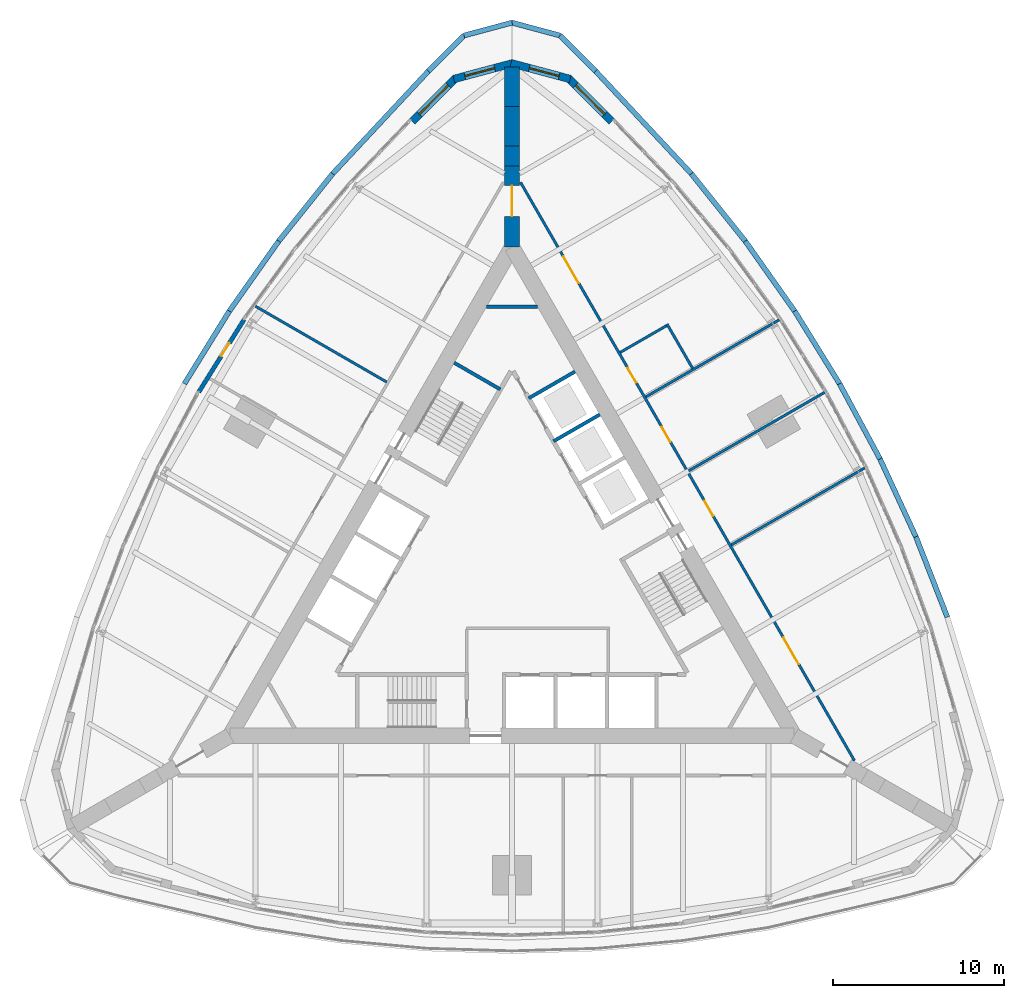
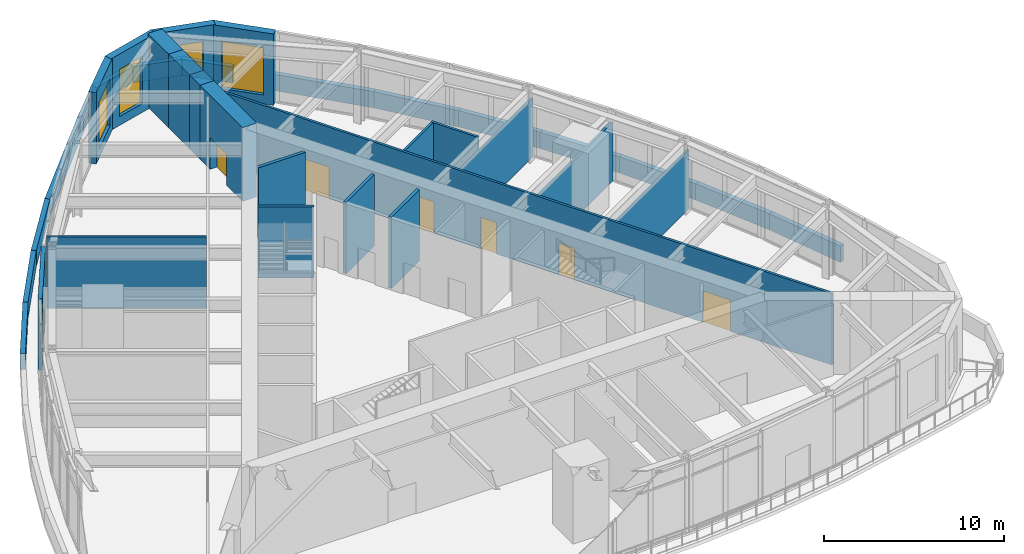
# One storey, part 11 of 14: 35 walls, 7 doors, 4 windows, 11 openings.
"""IFC4 building model written with IfcOpenShell, lengths in metres."""

from ifc_helpers import new_model, si_unit, direction, frame, frame_2d, origin, place, context, subcontext, project, spatial, polyline, rectangle, outline, extrude, material, layer, layer_set, type_object, element, fill, save


model = new_model("IFC4")

# Units and contexts
model_context = context("Model", 3, precision=1e-05, world=origin(), true_north=direction((0.0, 1.0)))
body_context = subcontext(model_context, "Body", "Model", "MODEL_VIEW")
ifc_project = project(units=[si_unit("LENGTHUNIT", "METRE"), si_unit("AREAUNIT", "SQUARE_METRE"), si_unit("VOLUMEUNIT", "CUBIC_METRE"), si_unit("PLANEANGLEUNIT", "RADIAN"), si_unit("MASSUNIT", "GRAM", prefix="KILO")], contexts=[model_context])

# Site, building, storey
site_placement = place(None, origin())
site = spatial("IfcSite", under=ifc_project, at=site_placement, CompositionType="ELEMENT")
building_placement = place(site_placement, origin())
building = spatial("IfcBuilding", under=site, at=building_placement, Name="Trikona Tower", CompositionType="ELEMENT")
storey_placement = place(building_placement, frame((0.0, 0.0, 109.699951171875)))
storey = spatial("IfcBuildingStorey", under=building, at=storey_placement, Name="L28", CompositionType="ELEMENT", Elevation=109.699951171875)

# Wall, opening, window
ifc_material_1 = material(Name="Brick-faced precast concrete", Category="masonry")
ifc_layer_1 = layer(ifc_material_1, 0.449951171875)
ifc_layer_set_1 = layer_set([ifc_layer_1], Name="Brick-faced corner wall 450")
wall_type_1 = type_object("IfcWallType", Name="Brick-faced corner wall 450", PredefinedType="SOLIDWALL", material=ifc_layer_set_1)
wall_1_placement = place(storey_placement, frame((5.8408203125, 26.39892578125, 0.0), z_axis=(0.0, 0.0, 1.0), x_axis=(-0.707106781187, 0.707106781187, 0.0)))
wall_1 = element("IfcWall", 1, at=wall_1_placement, inside=storey, type_object=wall_type_1, Name="External wall L28-20", PredefinedType="SOLIDWALL", context=body_context, shape_type="SweptSolid", body=[
    extrude(rectangle(XDim=3.586181640625, YDim=0.449951171875, at=frame_2d((1.79296875, 0.0))), origin(), (0.0, 0.0, 1.0), 4.8349609375),
])
opening_1_placement = place(wall_1_placement, frame((0.59326171875, 0.0, 0.60009765625)))
opening_1 = element("IfcOpeningElement", 2, at=opening_1_placement, cuts=wall_1, Name="Opening W2432", PredefinedType="OPENING", context=body_context, shape_type="SweptSolid", body=[
    extrude(rectangle(XDim=2.39990234375, YDim=3.199951171875, at=frame_2d((1.199951171875, 1.60009765625))), frame((0.0, 0.23486328125, 0.0), z_axis=(0.0, -1.0, 0.0), x_axis=(1.0, 0.0, 0.0)), (0.0, 0.0, 1.0), 0.469970703125),
])
ifc_material_2 = material(Name="Aluminium-framed double glazing", Category="aluminium")
window_type_1 = type_object("IfcWindowType", Name="Window 2400x3200", PartitioningType="SINGLE_PANEL", PredefinedType="WINDOW", material=ifc_material_2)
window_1_placement = place(opening_1_placement, origin())
window_1 = element("IfcWindow", 3, at=window_1_placement, inside=storey, type_object=window_type_1, Name="Window L28-GSO", OverallHeight=3.199951171875, OverallWidth=2.39990234375, PartitioningType="SINGLE_PANEL", PredefinedType="WINDOW", context=body_context, shape_type="SweptSolid", body=[
    extrude(rectangle(XDim=2.39990234375, YDim=3.199951171875, at=frame_2d((1.199951171875, 1.60009765625))), frame((0.0, 0.030029296875, 0.0), z_axis=(0.0, -1.0, 0.0), x_axis=(1.0, 0.0, 0.0)), (0.0, 0.0, 1.0), 0.06005859375),
])
fill(opening_1, window_1)

wall_2_placement = place(storey_placement, frame((3.406005859375, 28.876708984375, 0.0), z_axis=(0.0, 0.0, 1.0), x_axis=(-0.965924653531, 0.258823421857, 0.0)))
wall_2 = element("IfcWall", 4, at=wall_2_placement, inside=storey, type_object=wall_type_1, Name="External wall L28-21", PredefinedType="SOLIDWALL", context=body_context, shape_type="SweptSolid", body=[
    extrude(outline(polyline([(3.58642578125, 0.22509765625), (3.526611328125, 0.22509765625), (3.035400390625, 0.09326171875), (3.0, 0.22509765625), (0.0, 0.22509765625), (0.0, -0.22509765625), (3.58642578125, -0.22509765625), (3.58642578125, 0.22509765625)])), origin(), (0.0, 0.0, 1.0), 4.8349609375),
])
opening_2_placement = place(wall_2_placement, frame((0.67431640625, 0.0, 0.60009765625)))
opening_2 = element("IfcOpeningElement", 5, at=opening_2_placement, cuts=wall_2, Name="Opening W1832", PredefinedType="OPENING", context=body_context, shape_type="SweptSolid", body=[
    extrude(rectangle(XDim=1.800048828125, YDim=3.199951171875, at=frame_2d((0.89990234375, 1.60009765625))), frame((0.0, 0.23486328125, 0.0), z_axis=(0.0, -1.0, 0.0), x_axis=(1.0, 0.0, 0.0)), (0.0, 0.0, 1.0), 0.469970703125),
])
ifc_material_3 = material(Name="Aluminium-framed double glazing", Category="aluminium")
window_type_2 = type_object("IfcWindowType", Name="Window 1800x3200", PartitioningType="SINGLE_PANEL", PredefinedType="WINDOW", material=ifc_material_3)
window_2_placement = place(opening_2_placement, origin())
window_2 = element("IfcWindow", 6, at=window_2_placement, inside=storey, type_object=window_type_2, Name="Window L28-GSO", OverallHeight=3.199951171875, OverallWidth=1.800048828125, PartitioningType="SINGLE_PANEL", PredefinedType="WINDOW", context=body_context, shape_type="SweptSolid", body=[
    extrude(rectangle(XDim=1.800048828125, YDim=3.199951171875, at=frame_2d((0.89990234375, 1.60009765625))), frame((0.0, 0.030029296875, 0.0), z_axis=(0.0, -1.0, 0.0), x_axis=(1.0, 0.0, 0.0)), (0.0, 0.0, 1.0), 0.06005859375),
])
fill(opening_2, window_2)

wall_3_placement = place(storey_placement, frame((0.05810546875, 29.804931640625, 0.0), z_axis=(0.0, 0.0, 1.0), x_axis=(-0.965924653531, -0.258823421857, 0.0)))
wall_3 = element("IfcWall", 7, at=wall_3_placement, inside=storey, type_object=wall_type_1, Name="External wall L28-22", PredefinedType="SOLIDWALL", context=body_context, shape_type="SweptSolid", body=[
    extrude(outline(polyline([(3.58642578125, 0.22509765625), (0.58642578125, 0.22509765625), (0.551025390625, 0.09326171875), (0.0595703125, 0.22509765625), (0.0, 0.22509765625), (0.0, -0.22509765625), (3.58642578125, -0.22509765625), (3.58642578125, 0.22509765625)])), origin(), (0.0, 0.0, 1.0), 4.8349609375),
])
opening_3_placement = place(wall_3_placement, frame((1.111328125, 0.0, 0.60009765625)))
opening_3 = element("IfcOpeningElement", 8, at=opening_3_placement, cuts=wall_3, Name="Opening W1832", PredefinedType="OPENING", context=body_context, shape_type="SweptSolid", body=[
    extrude(rectangle(XDim=1.800048828125, YDim=3.199951171875, at=frame_2d((0.89990234375, 1.60009765625))), frame((0.0, 0.23486328125, 0.0), z_axis=(0.0, -1.0, 0.0), x_axis=(1.0, 0.0, 0.0)), (0.0, 0.0, 1.0), 0.469970703125),
])
window_3_placement = place(opening_3_placement, origin())
window_3 = element("IfcWindow", 9, at=window_3_placement, inside=storey, type_object=window_type_2, Name="Window L28-FST", OverallHeight=3.199951171875, OverallWidth=1.800048828125, PartitioningType="SINGLE_PANEL", PredefinedType="WINDOW", context=body_context, shape_type="SweptSolid", body=[
    extrude(rectangle(XDim=1.800048828125, YDim=3.199951171875, at=frame_2d((0.89990234375, 1.60009765625))), frame((0.0, 0.030029296875, 0.0), z_axis=(0.0, -1.0, 0.0), x_axis=(1.0, 0.0, 0.0)), (0.0, 0.0, 1.0), 0.06005859375),
])
fill(opening_3, window_3)

wall_4_placement = place(storey_placement, frame((-3.304931640625, 28.934814453125, 0.0), z_axis=(0.0, 0.0, 1.0), x_axis=(-0.707106781187, -0.707106781187, 0.0)))
wall_4 = element("IfcWall", 10, at=wall_4_placement, inside=storey, type_object=wall_type_1, Name="External wall L28-23", PredefinedType="SOLIDWALL", context=body_context, shape_type="SweptSolid", body=[
    extrude(rectangle(XDim=3.586181640625, YDim=0.449951171875, at=frame_2d((1.79296875, 0.0))), origin(), (0.0, 0.0, 1.0), 4.8349609375),
])
opening_4_placement = place(wall_4_placement, frame((0.59326171875, 0.0, 0.60009765625)))
opening_4 = element("IfcOpeningElement", 11, at=opening_4_placement, cuts=wall_4, Name="Opening W2432", PredefinedType="OPENING", context=body_context, shape_type="SweptSolid", body=[
    extrude(rectangle(XDim=2.39990234375, YDim=3.199951171875, at=frame_2d((1.199951171875, 1.60009765625))), frame((0.0, 0.23486328125, 0.0), z_axis=(0.0, -1.0, 0.0), x_axis=(1.0, 0.0, 0.0)), (0.0, 0.0, 1.0), 0.469970703125),
])
window_4_placement = place(opening_4_placement, origin())
window_4 = element("IfcWindow", 12, at=window_4_placement, inside=storey, type_object=window_type_1, Name="Window L28-FST", OverallHeight=3.199951171875, OverallWidth=2.39990234375, PartitioningType="SINGLE_PANEL", PredefinedType="WINDOW", context=body_context, shape_type="SweptSolid", body=[
    extrude(rectangle(XDim=2.39990234375, YDim=3.199951171875, at=frame_2d((1.199951171875, 1.60009765625))), frame((0.0, 0.030029296875, 0.0), z_axis=(0.0, -1.0, 0.0), x_axis=(1.0, 0.0, 0.0)), (0.0, 0.0, 1.0), 0.06005859375),
])
fill(opening_4, window_4)

# Wall, opening, door
ifc_material_4 = material(Name="Concrete f'c 10000 psi", Category="concrete")
ifc_layer_2 = layer(ifc_material_4, 0.89990234375)
ifc_layer_set_2 = layer_set([ifc_layer_2], Name="Buttress wall 900")
wall_type_2 = type_object("IfcWallType", Name="Buttress wall 900", PredefinedType="SHEAR", material=ifc_layer_set_2)
wall_5_placement = place(storey_placement, frame((0.0, 19.052490234375, 0.0), z_axis=(0.0, 0.0, 1.0), x_axis=(0.0, 1.0, 0.0)))
wall_5 = element("IfcWall", 13, at=wall_5_placement, inside=storey, type_object=wall_type_2, Name="Buttress wall 2", PredefinedType="SHEAR", context=body_context, shape_type="SweptSolid", body=[
    extrude(rectangle(XDim=4.74609375, YDim=0.89990234375, at=frame_2d((2.373046875, 0.0))), origin(), (0.0, 0.0, 1.0), 5.0),
])
opening_5_placement = place(wall_5_placement, frame((1.800048828125, 0.0, 0.0)))
opening_5 = element("IfcOpeningElement", 14, at=opening_5_placement, cuts=wall_5, Name="Opening D10", PredefinedType="OPENING", context=body_context, shape_type="SweptSolid", body=[
    extrude(rectangle(XDim=1.800048828125, YDim=2.1298828125, at=frame_2d((0.89990234375, 1.06494140625))), frame((0.0, 0.4599609375, 0.0), z_axis=(0.0, -1.0, 0.0), x_axis=(1.0, 0.0, 0.0)), (0.0, 0.0, 1.0), 0.919921875),
])
ifc_material_5 = material(Name="Hollow metal door and frame", Category="steel")
door_type_1 = type_object("IfcDoorType", Name="Cross-corridor door pair 1800x2130", OperationType="DOUBLE_DOOR_DOUBLE_SWING", PredefinedType="DOOR", material=ifc_material_5)
door_1_placement = place(opening_5_placement, origin())
door_1 = element("IfcDoor", 15, at=door_1_placement, inside=storey, type_object=door_type_1, Name="Cross-corridor door 2", OperationType="DOUBLE_DOOR_DOUBLE_SWING", OverallHeight=2.1298828125, OverallWidth=1.800048828125, PredefinedType="DOOR", context=body_context, shape_type="SweptSolid", body=[
    extrude(rectangle(XDim=1.800048828125, YDim=2.1298828125, at=frame_2d((0.89990234375, 1.06494140625))), frame((0.0, 0.02490234375, 0.0), z_axis=(0.0, -1.0, 0.0), x_axis=(1.0, 0.0, 0.0)), (0.0, 0.0, 1.0), 0.050048828125),
])
fill(opening_5, door_1)

# Walls
wall_6_placement = place(storey_placement, frame((0.0, 23.798583984375, 0.0), z_axis=(0.0, 0.0, 1.0), x_axis=(0.0, 1.0, 0.0)))
element("IfcWall", 16, at=wall_6_placement, inside=storey, type_object=wall_type_2, Name="Buttress wall 2 part 2", PredefinedType="SHEAR", context=body_context, shape_type="SweptSolid", body=[
    extrude(rectangle(XDim=1.15478515625, YDim=0.89990234375, at=frame_2d((0.577392578125, 0.0))), origin(), (0.0, 0.0, 1.0), 5.0),
])
wall_7_placement = place(storey_placement, frame((0.0, 24.953369140625, 0.0), z_axis=(0.0, 0.0, 1.0), x_axis=(0.0, 1.0, 0.0)))
element("IfcWall", 17, at=wall_7_placement, inside=storey, type_object=wall_type_2, Name="Buttress wall 2 part 3", PredefinedType="SHEAR", context=body_context, shape_type="SweptSolid", body=[
    extrude(rectangle(XDim=2.309326171875, YDim=0.89990234375, at=frame_2d((1.15478515625, 0.0))), origin(), (0.0, 0.0, 1.0), 5.0),
])
wall_8_placement = place(storey_placement, frame((0.0, 27.2626953125, 0.0), z_axis=(0.0, 0.0, 1.0), x_axis=(0.0, 1.0, 0.0)))
element("IfcWall", 18, at=wall_8_placement, inside=storey, type_object=wall_type_2, Name="Buttress wall 2 part 4", PredefinedType="SHEAR", context=body_context, shape_type="SweptSolid", body=[
    extrude(rectangle(XDim=2.3095703125, YDim=0.89990234375, at=frame_2d((1.15478515625, 0.0))), origin(), (0.0, 0.0, 1.0), 5.0),
])

# Wall, openings, doors
ifc_material_6 = material(Name="Metal stud and gypsum board, 1-hour", Category="gypsum")
ifc_layer_3 = layer(ifc_material_6, 0.14990234375)
ifc_layer_set_3 = layer_set([ifc_layer_3], Name="Corridor wall 150")
wall_type_3 = type_object("IfcWallType", Name="Corridor wall 150", PredefinedType="PARTITIONING", material=ifc_layer_set_3)
wall_9_placement = place(storey_placement, frame((20.027099609375, -10.9853515625, 0.0), z_axis=(0.0, 0.0, 1.0), x_axis=(-0.500001677587, 0.866024435227, 0.0)))
wall_9 = element("IfcWall", 19, at=wall_9_placement, inside=storey, type_object=wall_type_3, Name="Corridor wall L28-2", PredefinedType="PARTITIONING", context=body_context, shape_type="SweptSolid", body=[
    extrude(rectangle(XDim=39.053955078125, YDim=0.14990234375, at=frame_2d((19.52685546875, 0.0))), origin(), (0.0, 0.0, 1.0), 4.8349609375),
])
opening_6_placement = place(wall_9_placement, frame((6.513427734375, 0.0, 0.0)))
opening_6 = element("IfcOpeningElement", 20, at=opening_6_placement, cuts=wall_9, Name="Opening D4", PredefinedType="OPENING", context=body_context, shape_type="SweptSolid", body=[
    extrude(rectangle(XDim=1.800048828125, YDim=2.1298828125, at=frame_2d((0.89990234375, 1.06494140625))), frame((0.0, 0.0849609375, 0.0), z_axis=(0.0, -1.0, 0.0), x_axis=(1.0, 0.0, 0.0)), (0.0, 0.0, 1.0), 0.169921875),
])
opening_7_placement = place(wall_9_placement, frame((16.527099609375, 0.0, 0.0)))
opening_7 = element("IfcOpeningElement", 21, at=opening_7_placement, cuts=wall_9, Name="Opening D3", PredefinedType="OPENING", context=body_context, shape_type="SweptSolid", body=[
    extrude(rectangle(XDim=1.0, YDim=2.1298828125, at=frame_2d((0.5, 1.06494140625))), frame((0.0, 0.0849609375, 0.0), z_axis=(0.0, -1.0, 0.0), x_axis=(1.0, 0.0, 0.0)), (0.0, 0.0, 1.0), 0.169921875),
])
opening_8_placement = place(wall_9_placement, frame((21.527099609375, 0.0, 0.0)))
opening_8 = element("IfcOpeningElement", 22, at=opening_8_placement, cuts=wall_9, Name="Opening D3", PredefinedType="OPENING", context=body_context, shape_type="SweptSolid", body=[
    extrude(rectangle(XDim=1.0, YDim=2.1298828125, at=frame_2d((0.5, 1.06494140625))), frame((0.0, 0.0849609375, 0.0), z_axis=(0.0, -1.0, 0.0), x_axis=(1.0, 0.0, 0.0)), (0.0, 0.0, 1.0), 0.169921875),
])
opening_9_placement = place(wall_9_placement, frame((25.527099609375, 0.0, 0.0)))
opening_9 = element("IfcOpeningElement", 23, at=opening_9_placement, cuts=wall_9, Name="Opening D3", PredefinedType="OPENING", context=body_context, shape_type="SweptSolid", body=[
    extrude(rectangle(XDim=1.0, YDim=2.1298828125, at=frame_2d((0.5, 1.06494140625))), frame((0.0, 0.0849609375, 0.0), z_axis=(0.0, -1.0, 0.0), x_axis=(1.0, 0.0, 0.0)), (0.0, 0.0, 1.0), 0.169921875),
])
opening_10_placement = place(wall_9_placement, frame((32.240478515625, 0.0, 0.0)))
opening_10 = element("IfcOpeningElement", 24, at=opening_10_placement, cuts=wall_9, Name="Opening D4", PredefinedType="OPENING", context=body_context, shape_type="SweptSolid", body=[
    extrude(rectangle(XDim=1.800048828125, YDim=2.1298828125, at=frame_2d((0.89990234375, 1.06494140625))), frame((0.0, 0.0849609375, 0.0), z_axis=(0.0, -1.0, 0.0), x_axis=(1.0, 0.0, 0.0)), (0.0, 0.0, 1.0), 0.169921875),
])
ifc_material_7 = material(Name="Steel door frame with solid-core timber leaf", Category="steel")
door_type_2 = type_object("IfcDoorType", Name="Assembly door pair 1800x2130", OperationType="DOUBLE_DOOR_SINGLE_SWING", PredefinedType="DOOR", material=ifc_material_7)
door_2_placement = place(opening_6_placement, origin())
door_2 = element("IfcDoor", 25, at=door_2_placement, inside=storey, type_object=door_type_2, Name="Door Guest library", OperationType="DOUBLE_DOOR_SINGLE_SWING", OverallHeight=2.1298828125, OverallWidth=1.800048828125, PredefinedType="DOOR", context=body_context, shape_type="SweptSolid", body=[
    extrude(rectangle(XDim=1.800048828125, YDim=2.1298828125, at=frame_2d((0.89990234375, 1.06494140625))), frame((0.0, 0.02490234375, 0.0), z_axis=(0.0, -1.0, 0.0), x_axis=(1.0, 0.0, 0.0)), (0.0, 0.0, 1.0), 0.050048828125),
])
fill(opening_6, door_2)
door_3_placement = place(opening_10_placement, origin())
door_3 = element("IfcDoor", 26, at=door_3_placement, inside=storey, type_object=door_type_2, Name="Door Guest services office", OperationType="DOUBLE_DOOR_SINGLE_SWING", OverallHeight=2.1298828125, OverallWidth=1.800048828125, PredefinedType="DOOR", context=body_context, shape_type="SweptSolid", body=[
    extrude(rectangle(XDim=1.800048828125, YDim=2.1298828125, at=frame_2d((0.89990234375, 1.06494140625))), frame((0.0, 0.02490234375, 0.0), z_axis=(0.0, -1.0, 0.0), x_axis=(1.0, 0.0, 0.0)), (0.0, 0.0, 1.0), 0.050048828125),
])
fill(opening_10, door_3)
ifc_material_8 = material(Name="Steel door frame with solid-core timber leaf", Category="steel")
door_type_3 = type_object("IfcDoorType", Name="Room door 1000x2130", OperationType="SINGLE_SWING_LEFT", PredefinedType="DOOR", material=ifc_material_8)
door_4_placement = place(opening_7_placement, origin())
door_4 = element("IfcDoor", 27, at=door_4_placement, inside=storey, type_object=door_type_3, Name="Door Men's toilets", OperationType="SINGLE_SWING_LEFT", OverallHeight=2.1298828125, OverallWidth=1.0, PredefinedType="DOOR", context=body_context, shape_type="SweptSolid", body=[
    extrude(rectangle(XDim=1.0, YDim=2.1298828125, at=frame_2d((0.5, 1.06494140625))), frame((0.0, 0.02490234375, 0.0), z_axis=(0.0, -1.0, 0.0), x_axis=(1.0, 0.0, 0.0)), (0.0, 0.0, 1.0), 0.050048828125),
])
fill(opening_7, door_4)
door_5_placement = place(opening_8_placement, origin())
door_5 = element("IfcDoor", 28, at=door_5_placement, inside=storey, type_object=door_type_3, Name="Door Women's toilets", OperationType="SINGLE_SWING_RIGHT", OverallHeight=2.1298828125, OverallWidth=1.0, PredefinedType="DOOR", context=body_context, shape_type="SweptSolid", body=[
    extrude(rectangle(XDim=1.0, YDim=2.1298828125, at=frame_2d((0.5, 1.06494140625))), frame((0.0, 0.02490234375, 0.0), z_axis=(0.0, -1.0, 0.0), x_axis=(1.0, 0.0, 0.0)), (0.0, 0.0, 1.0), 0.050048828125),
])
fill(opening_8, door_5)
door_6_placement = place(opening_9_placement, origin())
door_6 = element("IfcDoor", 29, at=door_6_placement, inside=storey, type_object=door_type_3, Name="Door Accessible WC", OperationType="SINGLE_SWING_LEFT", OverallHeight=2.1298828125, OverallWidth=1.0, PredefinedType="DOOR", context=body_context, shape_type="SweptSolid", body=[
    extrude(rectangle(XDim=1.0, YDim=2.1298828125, at=frame_2d((0.5, 1.06494140625))), frame((0.0, 0.02490234375, 0.0), z_axis=(0.0, -1.0, 0.0), x_axis=(1.0, 0.0, 0.0)), (0.0, 0.0, 1.0), 0.050048828125),
])
fill(opening_9, door_6)

# Wall, opening, door
ifc_material_9 = material(Name="Insulated precast concrete spandrel panel", Category="concrete")
ifc_layer_4 = layer(ifc_material_9, 0.25)
ifc_layer_set_4 = layer_set([ifc_layer_4], Name="Inner skin wall 250")
wall_type_4 = type_object("IfcWallType", Name="Inner skin wall 250", PredefinedType="STANDARD", material=ifc_layer_set_4)
wall_10_placement = place(storey_placement, frame((-15.667236328125, 14.81396484375, 0.0), z_axis=(0.0, 0.0, 1.0), x_axis=(-0.529990167382, -0.84800378683, 0.0)))
wall_10 = element("IfcWall", 30, at=wall_10_placement, inside=storey, type_object=wall_type_4, Name="External wall L28-27", PredefinedType="STANDARD", context=body_context, shape_type="SweptSolid", body=[
    extrude(rectangle(XDim=5.003173828125, YDim=0.25, at=frame_2d((2.50146484375, 0.0))), origin(), (0.0, 0.0, 1.0), 4.8349609375),
])
opening_11_placement = place(wall_10_placement, frame((1.618408203125, 0.0, 0.0)))
opening_11 = element("IfcOpeningElement", 31, at=opening_11_placement, cuts=wall_10, Name="Opening D17", PredefinedType="OPENING", context=body_context, shape_type="SweptSolid", body=[
    extrude(rectangle(XDim=0.89990234375, YDim=2.1298828125, at=frame_2d((0.449951171875, 1.06494140625))), frame((0.0, 0.135009765625, 0.0), z_axis=(0.0, -1.0, 0.0), x_axis=(1.0, 0.0, 0.0)), (0.0, 0.0, 1.0), 0.27001953125),
])
ifc_material_10 = material(Name="Insulated steel door and frame", Category="steel")
door_type_4 = type_object("IfcDoorType", Name="Maintenance roof access door 900x2130", OperationType="SINGLE_SWING_LEFT", PredefinedType="DOOR", material=ifc_material_10)
door_7_placement = place(opening_11_placement, origin())
door_7 = element("IfcDoor", 32, at=door_7_placement, inside=storey, type_object=door_type_4, Name="Maintenance access door Housekeeping", OperationType="SINGLE_SWING_RIGHT", OverallHeight=2.1298828125, OverallWidth=0.89990234375, PredefinedType="DOOR", context=body_context, shape_type="SweptSolid", body=[
    extrude(rectangle(XDim=0.89990234375, YDim=2.1298828125, at=frame_2d((0.449951171875, 1.06494140625))), frame((0.0, 0.02490234375, 0.0), z_axis=(0.0, -1.0, 0.0), x_axis=(1.0, 0.0, 0.0)), (0.0, 0.0, 1.0), 0.050048828125),
])
fill(opening_11, door_7)

# Walls
ifc_material_11 = material(Name="Brick-faced precast concrete", Category="masonry")
ifc_layer_5 = layer(ifc_material_11, 0.300048828125)
ifc_layer_set_5 = layer_set([ifc_layer_5], Name="Parapet wall 300")
wall_type_5 = type_object("IfcWallType", Name="Parapet wall 300", PredefinedType="PARAPET", material=ifc_layer_set_5)
wall_11_placement = place(storey_placement, frame((-19.15869140625, 11.061279296875, 0.0), z_axis=(0.0, 0.0, 1.0), x_axis=(0.526139147264, 0.850398493482, 0.0)))
element("IfcWall", 33, at=wall_11_placement, inside=storey, type_object=wall_type_5, Name="Green roof parapet L28-1-07", PredefinedType="PARAPET", context=body_context, shape_type="SweptSolid", body=[
    extrude(rectangle(XDim=4.993408203125, YDim=0.300048828125, at=frame_2d((2.49658203125, 0.0))), origin(), (0.0, 0.0, 1.0), 1.10009765625),
])
wall_12_placement = place(storey_placement, frame((-16.531494140625, 15.3076171875, 0.0), z_axis=(0.0, 0.0, 1.0), x_axis=(0.576639207024, 0.816998913661, 0.0)))
element("IfcWall", 34, at=wall_12_placement, inside=storey, type_object=wall_type_5, Name="Green roof parapet L28-1-08", PredefinedType="PARAPET", context=body_context, shape_type="SweptSolid", body=[
    extrude(rectangle(XDim=5.01171875, YDim=0.300048828125, at=frame_2d((2.505859375, 0.0))), origin(), (0.0, 0.0, 1.0), 1.10009765625),
])
wall_13_placement = place(storey_placement, frame((-13.6416015625, 19.402099609375, 0.0), z_axis=(0.0, 0.0, 1.0), x_axis=(0.624606561164, 0.780939590334, 0.0)))
element("IfcWall", 35, at=wall_13_placement, inside=storey, type_object=wall_type_5, Name="Green roof parapet L28-1-09", PredefinedType="PARAPET", context=body_context, shape_type="SweptSolid", body=[
    extrude(rectangle(XDim=5.04736328125, YDim=0.300048828125, at=frame_2d((2.523681640625, 0.0))), origin(), (0.0, 0.0, 1.0), 1.10009765625),
])
wall_14_placement = place(storey_placement, frame((-10.489013671875, 23.34375, 0.0), z_axis=(0.0, 0.0, 1.0), x_axis=(0.682295981494, 0.731076051883, 0.0)))
element("IfcWall", 36, at=wall_14_placement, inside=storey, type_object=wall_type_5, Name="Green roof parapet L28-1-10", PredefinedType="PARAPET", context=body_context, shape_type="SweptSolid", body=[
    extrude(rectangle(XDim=8.203125, YDim=0.300048828125, at=frame_2d((4.1015625, 0.0))), origin(), (0.0, 0.0, 1.0), 1.10009765625),
])
wall_15_placement = place(storey_placement, frame((-4.89208984375, 29.3408203125, 0.0), z_axis=(0.0, 0.0, 1.0), x_axis=(0.707148220913, 0.707065339031, 0.0)))
element("IfcWall", 37, at=wall_15_placement, inside=storey, type_object=wall_type_5, Name="Green roof parapet L28-1-11", PredefinedType="PARAPET", context=body_context, shape_type="SweptSolid", body=[
    extrude(rectangle(XDim=2.945556640625, YDim=0.300048828125, at=frame_2d((1.47265625, 0.0))), origin(), (0.0, 0.0, 1.0), 1.10009765625),
])
for number, where, z_axis, x_axis, name in (
    (38, (-2.80908203125, 31.423583984375, 0.0), (0.0, 0.0, 1.0), (0.965926317564, 0.258817211633, 0.0), "Green roof parapet L28-1-12"),
    (39, (0.0, 32.17626953125, 0.0), (0.0, 0.0, 1.0), (0.965926317564, -0.258817211633, 0.0), "Green roof parapet L28-1-13"),
):
    element("IfcWall", number, at=place(storey_placement, frame(where, z_axis=z_axis, x_axis=x_axis)), inside=storey, type_object=wall_type_5, Name=name, PredefinedType="PARAPET", context=body_context, shape_type="SweptSolid", body=[
        extrude(rectangle(XDim=2.908203125, YDim=0.300048828125, at=frame_2d((1.4541015625, 0.0))), origin(), (0.0, 0.0, 1.0), 1.10009765625),
    ])
wall_16_placement = place(storey_placement, frame((2.80908203125, 31.423583984375, 0.0), z_axis=(0.0, 0.0, 1.0), x_axis=(0.707148220913, -0.707065339031, 0.0)))
element("IfcWall", 40, at=wall_16_placement, inside=storey, type_object=wall_type_5, Name="Green roof parapet L28-1-14", PredefinedType="PARAPET", context=body_context, shape_type="SweptSolid", body=[
    extrude(rectangle(XDim=2.945556640625, YDim=0.300048828125, at=frame_2d((1.47265625, 0.0))), origin(), (0.0, 0.0, 1.0), 1.10009765625),
])
wall_17_placement = place(storey_placement, frame((4.89208984375, 29.3408203125, 0.0), z_axis=(0.0, 0.0, 1.0), x_axis=(0.682295981494, -0.731076051883, 0.0)))
element("IfcWall", 41, at=wall_17_placement, inside=storey, type_object=wall_type_5, Name="Green roof parapet L28-1-15", PredefinedType="PARAPET", context=body_context, shape_type="SweptSolid", body=[
    extrude(rectangle(XDim=8.203125, YDim=0.300048828125, at=frame_2d((4.1015625, 0.0))), origin(), (0.0, 0.0, 1.0), 1.10009765625),
])
wall_18_placement = place(storey_placement, frame((10.489013671875, 23.34375, 0.0), z_axis=(0.0, 0.0, 1.0), x_axis=(0.624606561164, -0.780939590334, 0.0)))
element("IfcWall", 42, at=wall_18_placement, inside=storey, type_object=wall_type_5, Name="Green roof parapet L28-1-16", PredefinedType="PARAPET", context=body_context, shape_type="SweptSolid", body=[
    extrude(rectangle(XDim=5.04736328125, YDim=0.300048828125, at=frame_2d((2.523681640625, 0.0))), origin(), (0.0, 0.0, 1.0), 1.10009765625),
])
wall_19_placement = place(storey_placement, frame((13.6416015625, 19.402099609375, 0.0), z_axis=(0.0, 0.0, 1.0), x_axis=(0.576639207024, -0.816998913661, 0.0)))
element("IfcWall", 43, at=wall_19_placement, inside=storey, type_object=wall_type_5, Name="Green roof parapet L28-1-17", PredefinedType="PARAPET", context=body_context, shape_type="SweptSolid", body=[
    extrude(rectangle(XDim=5.01171875, YDim=0.300048828125, at=frame_2d((2.505859375, 0.0))), origin(), (0.0, 0.0, 1.0), 1.10009765625),
])
wall_20_placement = place(storey_placement, frame((16.531494140625, 15.3076171875, 0.0), z_axis=(0.0, 0.0, 1.0), x_axis=(0.526139147264, -0.850398493482, 0.0)))
element("IfcWall", 44, at=wall_20_placement, inside=storey, type_object=wall_type_5, Name="Green roof parapet L28-1-18", PredefinedType="PARAPET", context=body_context, shape_type="SweptSolid", body=[
    extrude(rectangle(XDim=4.993408203125, YDim=0.300048828125, at=frame_2d((2.49658203125, 0.0))), origin(), (0.0, 0.0, 1.0), 1.10009765625),
])
wall_21_placement = place(storey_placement, frame((19.15869140625, 11.061279296875, 0.0), z_axis=(0.0, 0.0, 1.0), x_axis=(0.473402806561, -0.880846060751, 0.0)))
element("IfcWall", 45, at=wall_21_placement, inside=storey, type_object=wall_type_5, Name="Green roof parapet L28-1-19", PredefinedType="PARAPET", context=body_context, shape_type="SweptSolid", body=[
    extrude(rectangle(XDim=4.9931640625, YDim=0.300048828125, at=frame_2d((2.49658203125, 0.0))), origin(), (0.0, 0.0, 1.0), 1.10009765625),
])
wall_22_placement = place(storey_placement, frame((21.5224609375, 6.6630859375, 0.0), z_axis=(0.0, 0.0, 1.0), x_axis=(0.419172470684, -0.907906625056, 0.0)))
element("IfcWall", 46, at=wall_22_placement, inside=storey, type_object=wall_type_5, Name="Green roof parapet L28-1-20", PredefinedType="PARAPET", context=body_context, shape_type="SweptSolid", body=[
    extrude(rectangle(XDim=5.011962890625, YDim=0.300048828125, at=frame_2d((2.505859375, 0.0))), origin(), (0.0, 0.0, 1.0), 1.10009765625),
])
wall_23_placement = place(storey_placement, frame((23.623291015625, 2.11279296875, 0.0), z_axis=(0.0, 0.0, 1.0), x_axis=(0.364040028131, -0.931383303436, 0.0)))
element("IfcWall", 47, at=wall_23_placement, inside=storey, type_object=wall_type_5, Name="Green roof parapet L28-1-21", PredefinedType="PARAPET", context=body_context, shape_type="SweptSolid", body=[
    extrude(rectangle(XDim=5.04736328125, YDim=0.300048828125, at=frame_2d((2.523681640625, 0.0))), origin(), (0.0, 0.0, 1.0), 1.10009765625),
])
ifc_material_12 = material(Name="Metal stud and gypsum board, 1-hour acoustic", Category="gypsum")
ifc_layer_6 = layer(ifc_material_12, 0.14990234375)
ifc_layer_set_6 = layer_set([ifc_layer_6], Name="Party wall 150")
wall_type_6 = type_object("IfcWallType", Name="Party wall 150", PredefinedType="PARTITIONING", material=ifc_layer_set_6)
wall_24_placement = place(storey_placement, frame((12.82861328125, 1.633056640625, 0.0), z_axis=(0.0, 0.0, 1.0), x_axis=(0.866028563435, 0.499994527285, 0.0)))
element("IfcWall", 48, at=wall_24_placement, inside=storey, type_object=wall_type_6, Name="Partition L28 F2 u-5", PredefinedType="PARTITIONING", context=body_context, shape_type="SweptSolid", body=[
    extrude(rectangle(XDim=9.01025390625, YDim=0.14990234375, at=frame_2d((4.505126953125, 0.0))), origin(), (0.0, 0.0, 1.0), 3.9892578125),
])
wall_25_placement = place(storey_placement, frame((10.32861328125, 5.963134765625, 0.0), z_axis=(0.0, 0.0, 1.0), x_axis=(0.866017936952, 0.500012932711, 0.0)))
element("IfcWall", 49, at=wall_25_placement, inside=storey, type_object=wall_type_6, Name="Partition L28 F2 u-4.44089e-15", PredefinedType="PARTITIONING", context=body_context, shape_type="SweptSolid", body=[
    extrude(rectangle(XDim=9.191162109375, YDim=0.14990234375, at=frame_2d((4.595703125, 0.0))), origin(), (0.0, 0.0, 1.0), 3.9892578125),
])
wall_26_placement = place(storey_placement, frame((7.82861328125, 10.293212890625, 0.0), z_axis=(0.0, 0.0, 1.0), x_axis=(0.866010056275, 0.500026581724, 0.0)))
element("IfcWall", 50, at=wall_26_placement, inside=storey, type_object=wall_type_6, Name="Partition L28 F2 u5", PredefinedType="PARTITIONING", context=body_context, shape_type="SweptSolid", body=[
    extrude(rectangle(XDim=9.01025390625, YDim=0.14990234375, at=frame_2d((4.505126953125, 0.0))), origin(), (0.0, 0.0, 1.0), 3.9892578125),
])
wall_27_placement = place(storey_placement, frame((10.562255859375, 11.958251953125, 0.0), z_axis=(0.0, 0.0, 1.0), x_axis=(-0.499990139034, 0.866031096941, 0.0)))
element("IfcWall", 51, at=wall_27_placement, inside=storey, type_object=wall_type_6, Name="Partition L28 F2 u5 back", PredefinedType="PARTITIONING", context=body_context, shape_type="SweptSolid", body=[
    extrude(rectangle(XDim=3.0, YDim=0.14990234375, at=frame_2d((1.5, 0.0))), origin(), (0.0, 0.0, 1.0), 4.8349609375),
])
wall_28_placement = place(storey_placement, frame((6.32861328125, 12.891357421875, 0.0), z_axis=(0.0, 0.0, 1.0), x_axis=(0.866022959057, 0.500004234368, 0.0)))
element("IfcWall", 52, at=wall_28_placement, inside=storey, type_object=wall_type_6, Name="Partition L28 F2 u8", PredefinedType="PARTITIONING", context=body_context, shape_type="SweptSolid", body=[
    extrude(rectangle(XDim=3.125, YDim=0.14990234375, at=frame_2d((1.5625, 0.0))), origin(), (0.0, 0.0, 1.0), 4.8349609375),
])
wall_29_placement = place(storey_placement, frame((-7.32861328125, 11.1591796875, 0.0), z_axis=(0.0, 0.0, 1.0), x_axis=(-0.866024615734, 0.50000136494, 0.0)))
element("IfcWall", 53, at=wall_29_placement, inside=storey, type_object=wall_type_6, Name="Partition L28 F3 u-6", PredefinedType="PARTITIONING", context=body_context, shape_type="SweptSolid", body=[
    extrude(rectangle(XDim=8.865234375, YDim=0.14990234375, at=frame_2d((4.4326171875, 0.0))), origin(), (0.0, 0.0, 1.0), 4.8349609375),
])
ifc_material_13 = material(Name="Concrete f'c 8000 psi", Category="concrete")
ifc_layer_7 = layer(ifc_material_13, 0.199951171875)
ifc_layer_set_7 = layer_set([ifc_layer_7], Name="Shaft wall 200")
wall_type_7 = type_object("IfcWallType", Name="Shaft wall 200", PredefinedType="SOLIDWALL", material=ifc_layer_set_7)
for number, where, z_axis, x_axis, name in (
    (54, (2.428955078125, 7.695556640625, 0.0), (0.0, 0.0, 1.0), (0.866022959057, 0.500004234368, 0.0), "Shaft wall B5"),
    (55, (0.97900390625, 10.20703125, 0.0), (0.0, 0.0, 1.0), (0.866022959057, 0.500004234368, 0.0), "Shaft wall B6"),
):
    element("IfcWall", number, at=place(storey_placement, frame(where, z_axis=z_axis, x_axis=x_axis)), inside=storey, type_object=wall_type_7, Name=name, PredefinedType="SOLIDWALL", context=body_context, shape_type="SweptSolid", body=[
        extrude(rectangle(XDim=3.125, YDim=0.199951171875, at=frame_2d((1.5625, 0.0))), origin(), (0.0, 0.0, 1.0), 4.8349609375),
    ])
wall_30_placement = place(storey_placement, frame((-1.501220703125, 15.552490234375, 0.0), z_axis=(0.0, 0.0, 1.0), x_axis=(1.0, 0.0, 0.0)))
element("IfcWall", 56, at=wall_30_placement, inside=storey, type_object=wall_type_7, Name="Riser wall L28-RS2", PredefinedType="SOLIDWALL", context=body_context, shape_type="SweptSolid", body=[
    extrude(rectangle(XDim=3.00244140625, YDim=0.199951171875, at=frame_2d((1.501220703125, 0.0))), origin(), (0.0, 0.0, 1.0), 4.8349609375),
])
ifc_material_14 = material(Name="Concrete f'c 8000 psi", Category="concrete")
ifc_layer_8 = layer(ifc_material_14, 0.199951171875)
ifc_layer_set_8 = layer_set([ifc_layer_8], Name="Shaft wall 200 load-bearing")
wall_type_8 = type_object("IfcWallType", Name="Shaft wall 200 load-bearing", PredefinedType="SOLIDWALL", material=ifc_layer_set_8)
wall_31_placement = place(storey_placement, frame((-0.678955078125, 10.7265625, 0.0), z_axis=(0.0, 0.0, 1.0), x_axis=(-0.866022959057, 0.500004234368, 0.0)))
element("IfcWall", 57, at=wall_31_placement, inside=storey, type_object=wall_type_8, Name="Shaft wall C1", PredefinedType="SOLIDWALL", context=body_context, shape_type="SweptSolid", body=[
    extrude(rectangle(XDim=3.125, YDim=0.199951171875, at=frame_2d((1.5625, 0.0))), origin(), (0.0, 0.0, 1.0), 4.8349609375),
])

save(model, "model.ifc")
